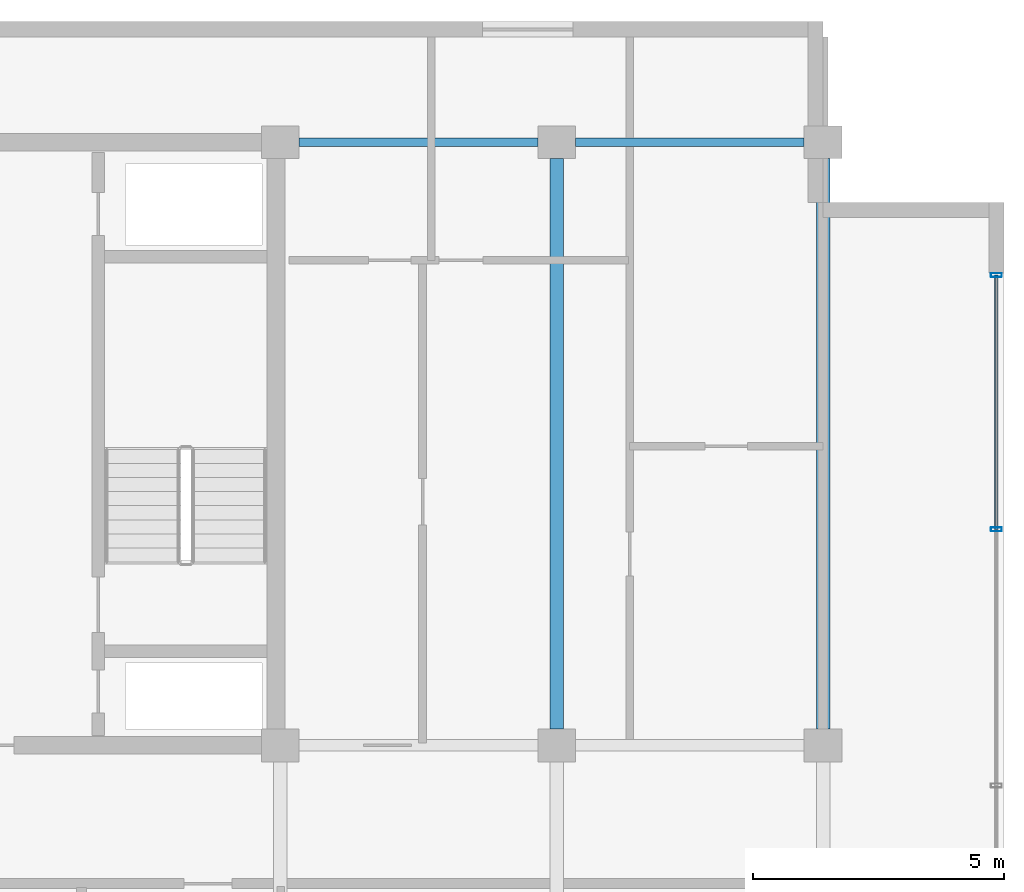
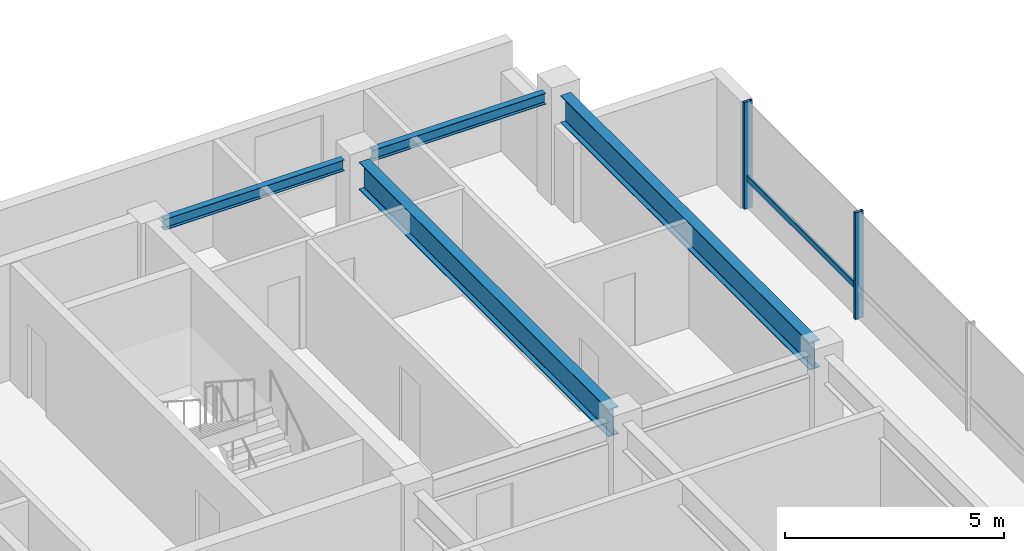
# One storey, part 10 of 30: 4 beams, 3 members, 1 element without a shape of its own.
"""IFC4 building model written with IfcOpenShell, lengths in metres."""

from ifc_helpers import new_model, si_unit, direction, frame, origin, origin_2d, place, context, subcontext, project, spatial, hollow_rectangle, i_section, extrude, material, layer, layer_set, material_profile, profile_set, type_object, element, aggregate, save


model = new_model("IFC4")

# Units and contexts
model_context = context("Model", 3, precision=1e-05, world=origin(), true_north=direction((0.0, 1.0)))
body_context = subcontext(model_context, "Body", "Model", "MODEL_VIEW")
ifc_project = project(units=[si_unit("LENGTHUNIT", "METRE"), si_unit("AREAUNIT", "SQUARE_METRE"), si_unit("VOLUMEUNIT", "CUBIC_METRE"), si_unit("PLANEANGLEUNIT", "RADIAN"), si_unit("MASSUNIT", "GRAM", prefix="KILO")], contexts=[model_context])

# Site, building, storey
site_placement = place(None, origin())
site = spatial("IfcSite", under=ifc_project, at=site_placement, CompositionType="ELEMENT")
building_placement = place(site_placement, origin())
building = spatial("IfcBuilding", under=site, at=building_placement, Name="Korimba Cascade Residences", CompositionType="ELEMENT")
storey_placement = place(building_placement, frame((0.0, 0.0, 201.10009765625)))
storey = spatial("IfcBuildingStorey", under=building, at=storey_placement, Name="L58", CompositionType="ELEMENT", Elevation=201.10009765625)

# Beams
ifc_material_1 = material(Name="Steel S355", Category="steel")
ifc_material_profile_1 = material_profile(ifc_material_1, i_section(OverallWidth=0.165771484375, OverallDepth=0.306640625, WebThickness=0.006591796875, FlangeThickness=0.01171875, FilletRadius=0.0087890625, at=origin_2d()), Name="Steel S355")
ifc_profile_set_1 = profile_set([ifc_material_profile_1], Name="Steel S355")
beam_type_1 = type_object("IfcBeamType", Name="BM-STL-UB305", PredefinedType="SPANDREL", material=ifc_profile_set_1)
beam_1_placement = place(storey_placement, frame((118.47509765625, 30.39990234375, 2.816650390625), z_axis=(1.0, 0.0, 0.0), x_axis=(0.0, 1.0, 0.0)))
element("IfcBeam", 1, at=beam_1_placement, inside=storey, type_object=beam_type_1, Name="L58 T2 E-W Girder Y4 Bay 6", PredefinedType="SPANDREL", context=body_context, shape_type="SweptSolid", body=[
    extrude(i_section(OverallWidth=0.165771484375, OverallDepth=0.306640625, WebThickness=0.006591796875, FlangeThickness=0.01171875, FilletRadius=0.0087890625, at=origin_2d()), origin(), (0.0, 0.0, 1.0), 4.75),
])
beam_2_placement = place(storey_placement, frame((123.97509765625, 30.39990234375, 2.816650390625), z_axis=(1.0, 0.0, 0.0), x_axis=(0.0, 1.0, 0.0)))
element("IfcBeam", 2, at=beam_2_placement, inside=storey, type_object=beam_type_1, Name="L58 T2 E-W Girder Y4 Bay 7", PredefinedType="SPANDREL", context=body_context, shape_type="SweptSolid", body=[
    extrude(i_section(OverallWidth=0.165771484375, OverallDepth=0.306640625, WebThickness=0.006591796875, FlangeThickness=0.01171875, FilletRadius=0.0087890625, at=origin_2d()), origin(), (0.0, 0.0, 1.0), 4.5498046875),
])
ifc_material_profile_2 = material_profile(ifc_material_1, i_section(OverallWidth=0.26806640625, OverallDepth=0.769775390625, WebThickness=0.015625, FlangeThickness=0.025390625, FilletRadius=0.0166015625, at=origin_2d()), Name="Steel S355")
ifc_profile_set_2 = profile_set([ifc_material_profile_2], Name="Steel S355")
beam_type_2 = type_object("IfcBeamType", Name="BM-STL-UB762", PredefinedType="BEAM", material=ifc_profile_set_2)
for number, where, z_axis, x_axis, name in (
    (3, (123.60009765625, 18.72509765625, 2.5849609375), (0.0, 1.0, 0.0), (-1.0, 0.0, 0.0), "L58 T2 N-S Girder X7 Seg 3"),
    (4, (128.89990234375, 18.72509765625, 2.5849609375), (0.0, 1.0, 0.0), (-1.0, 0.0, 0.0), "L58 T2 N-S Girder X8 Seg 3"),
):
    element("IfcBeam", number, at=place(storey_placement, frame(where, z_axis=z_axis, x_axis=x_axis)), inside=storey, type_object=beam_type_2, Name=name, PredefinedType="BEAM", context=body_context, shape_type="SweptSolid", body=[
        extrude(i_section(OverallWidth=0.26806640625, OverallDepth=0.769775390625, WebThickness=0.015625, FlangeThickness=0.025390625, FilletRadius=0.0166015625, at=origin_2d()), origin(), (0.0, 0.0, 1.0), 11.349853515625),
    ])

# Curtain wall, members
ifc_material_2 = material(Name="Anodised Aluminium Curtain Wall Framing", Category="aluminium")
ifc_layer = layer(ifc_material_2, 0.179931640625)
ifc_layer_set = layer_set([ifc_layer], Name="Anodised Aluminium Curtain Wall Framing")
curtain_wall_type = type_object("IfcCurtainWallType", Name="CW-SKY-SYS2", PredefinedType="NOTDEFINED", material=ifc_layer_set)
curtain_wall_placement = place(storey_placement, origin())
curtain_wall = element("IfcCurtainWall", 5, at=curtain_wall_placement, inside=storey, type_object=curtain_wall_type, Name="L58 Curtain Wall CW-L58-T2-E3", PredefinedType="NOTDEFINED")
ifc_material_3 = material(Name="Anodised Aluminium Mullion", Category="aluminium")
ifc_material_profile_3 = material_profile(ifc_material_3, hollow_rectangle(XDim=0.080078125, YDim=0.219970703125, WallThickness=0.00634765625, InnerFilletRadius=0.00634765625, OuterFilletRadius=0.0126953125, at=origin_2d()), Name="Anodised Aluminium Mullion")
ifc_profile_set_3 = profile_set([ifc_material_profile_3], Name="Anodised Aluminium Mullion")
member_type_1 = type_object("IfcMemberType", Name="CWM-MUL-220", PredefinedType="MULLION", material=ifc_profile_set_3)
member_1_placement = place(storey_placement, frame((132.35009765625, 22.699951171875, 0.0), z_axis=(0.0, 0.0, 1.0), x_axis=(0.0, 1.0, 0.0)))
member_1 = element("IfcMember", 6, at=member_1_placement, type_object=member_type_1, Name="CW-L58-T2-E3 Mullion 6", PredefinedType="MULLION", context=body_context, shape_type="SweptSolid", body=[
    extrude(hollow_rectangle(XDim=0.080078125, YDim=0.219970703125, WallThickness=0.00634765625, InnerFilletRadius=0.00634765625, OuterFilletRadius=0.0126953125, at=origin_2d()), origin(), (0.0, 0.0, 1.0), 2.969970703125),
])
member_2_placement = place(storey_placement, frame((132.35009765625, 27.760009765625, 0.0), z_axis=(0.0, 0.0, 1.0), x_axis=(0.0, 1.0, 0.0)))
member_2 = element("IfcMember", 7, at=member_2_placement, type_object=member_type_1, Name="CW-L58-T2-E3 Mullion 7", PredefinedType="MULLION", context=body_context, shape_type="SweptSolid", body=[
    extrude(hollow_rectangle(XDim=0.080078125, YDim=0.219970703125, WallThickness=0.00634765625, InnerFilletRadius=0.00634765625, OuterFilletRadius=0.0126953125, at=origin_2d()), origin(), (0.0, 0.0, 1.0), 2.969970703125),
])
ifc_material_4 = material(Name="Anodised Aluminium Transom", Category="aluminium")
ifc_material_profile_4 = material_profile(ifc_material_4, hollow_rectangle(XDim=0.070068359375, YDim=0.179931640625, WallThickness=0.0048828125, InnerFilletRadius=0.0048828125, OuterFilletRadius=0.010009765625, at=origin_2d()), Name="Anodised Aluminium Transom")
ifc_profile_set_4 = profile_set([ifc_material_profile_4], Name="Anodised Aluminium Transom")
member_type_2 = type_object("IfcMemberType", Name="CWM-TRN-150", PredefinedType="USERDEFINED", material=ifc_profile_set_4)
member_3_placement = place(storey_placement, frame((132.35009765625, 22.699951171875, 0.83154296875), z_axis=(0.0, 1.0, 0.0), x_axis=(-1.0, 0.0, 0.0)))
member_3 = element("IfcMember", 8, at=member_3_placement, type_object=member_type_2, Name="CW-L58-T2-E3 Transom 6", ObjectType="TRANSOM", PredefinedType="USERDEFINED", context=body_context, shape_type="SweptSolid", body=[
    extrude(hollow_rectangle(XDim=0.070068359375, YDim=0.179931640625, WallThickness=0.0048828125, InnerFilletRadius=0.0048828125, OuterFilletRadius=0.010009765625, at=origin_2d()), origin(), (0.0, 0.0, 1.0), 5.06005859375),
])
aggregate(curtain_wall, [member_1, member_2, member_3])

save(model, "model.ifc")
